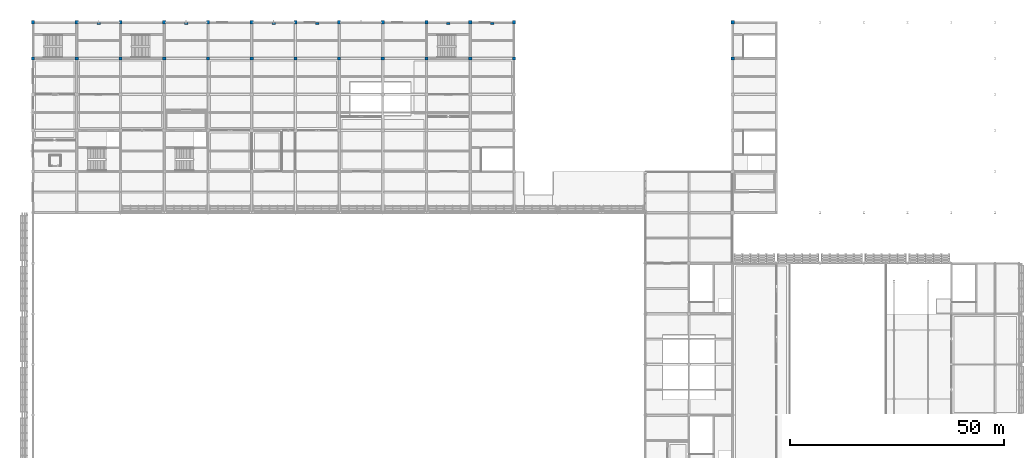
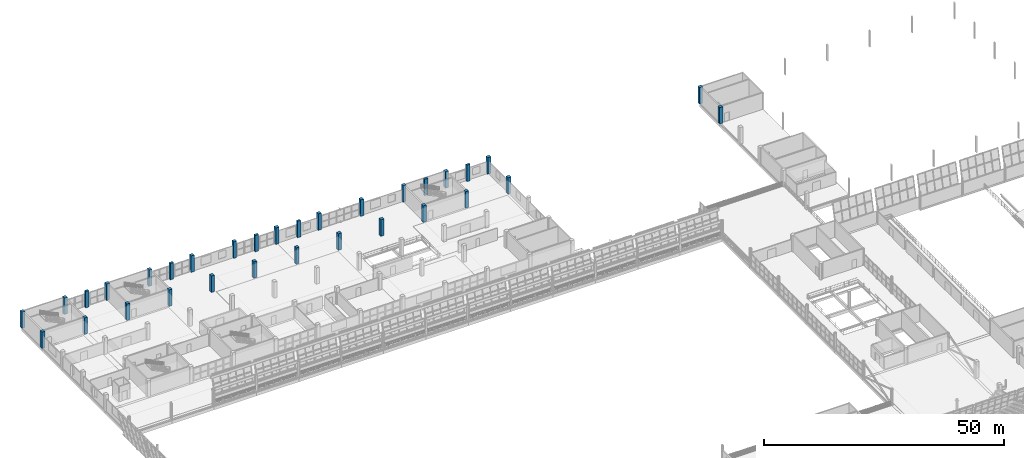
# One storey, part 17 of 157: 32 columns.
"""IFC4 building model written with IfcOpenShell, lengths in metres."""

from ifc_helpers import new_model, si_unit, direction, frame, origin, origin_2d, place, context, subcontext, project, spatial, rectangle, extrude, material, material_profile, profile_set, type_object, element, save


model = new_model("IFC4")

# Units and contexts
model_context = context("Model", 3, precision=1e-05, world=origin(), true_north=direction((0.0, 1.0)))
body_context = subcontext(model_context, "Body", "Model", "MODEL_VIEW")
ifc_project = project(units=[si_unit("LENGTHUNIT", "METRE"), si_unit("AREAUNIT", "SQUARE_METRE"), si_unit("VOLUMEUNIT", "CUBIC_METRE"), si_unit("PLANEANGLEUNIT", "RADIAN"), si_unit("MASSUNIT", "GRAM", prefix="KILO")], contexts=[model_context])

# Site, building, storey
site_placement = place(None, origin())
site = spatial("IfcSite", under=ifc_project, at=site_placement, CompositionType="ELEMENT")
building_placement = place(site_placement, origin())
building = spatial("IfcBuilding", under=site, at=building_placement, Name="Brelvane Convention Centre", CompositionType="ELEMENT")
storey_placement = place(building_placement, frame((0.0, 0.0, 10.800048828125)))
storey = spatial("IfcBuildingStorey", under=building, at=storey_placement, Name="L02", CompositionType="ELEMENT", Elevation=10.800048828125)

# Columns
ifc_material_1 = material(Name="Concrete M50", Category="concrete")
ifc_material_profile_1 = material_profile(ifc_material_1, rectangle(XDim=0.75, YDim=0.75, at=origin_2d()), Name="RC 750x750")
ifc_profile_set_1 = profile_set([ifc_material_profile_1], Name="Concrete M50")
column_type_1 = type_object("IfcColumnType", Name="RC Column C-RC3 (RC 750x750)", PredefinedType="COLUMN", material=ifc_profile_set_1)
for number, where, z_axis, x_axis, name in (
    (1, (0.0, 135.60009765625, 0.0), (0.0, 0.0, 1.0), (1.0, 0.0, 0.0), "Column 1-P (L02)"),
    (2, (0.0, 144.0, 0.0), (0.0, 0.0, 1.0), (1.0, 0.0, 0.0), "Column 1-Q (L02)"),
    (3, (10.199951171875, 135.60009765625, 0.0), (0.0, 0.0, 1.0), (1.0, 0.0, 0.0), "Column 2-P (L02)"),
    (4, (10.199951171875, 144.0, 0.0), (0.0, 0.0, 1.0), (1.0, 0.0, 0.0), "Column 2-Q (L02)"),
    (5, (20.39990234375, 135.60009765625, 0.0), (0.0, 0.0, 1.0), (1.0, 0.0, 0.0), "Column 3-P (L02)"),
    (6, (20.39990234375, 144.0, 0.0), (0.0, 0.0, 1.0), (1.0, 0.0, 0.0), "Column 3-Q (L02)"),
    (7, (30.60009765625, 135.60009765625, 0.0), (0.0, 0.0, 1.0), (1.0, 0.0, 0.0), "Column 4-P (L02)"),
    (8, (30.60009765625, 144.0, 0.0), (0.0, 0.0, 1.0), (1.0, 0.0, 0.0), "Column 4-Q (L02)"),
    (9, (40.800048828125, 135.60009765625, 0.0), (0.0, 0.0, 1.0), (1.0, 0.0, 0.0), "Column 5-P (L02)"),
    (10, (40.800048828125, 144.0, 0.0), (0.0, 0.0, 1.0), (1.0, 0.0, 0.0), "Column 5-Q (L02)"),
    (11, (51.0, 135.60009765625, 0.0), (0.0, 0.0, 1.0), (1.0, 0.0, 0.0), "Column 6-P (L02)"),
    (12, (51.0, 144.0, 0.0), (0.0, 0.0, 1.0), (1.0, 0.0, 0.0), "Column 6-Q (L02)"),
    (13, (61.199951171875, 135.60009765625, 0.0), (0.0, 0.0, 1.0), (1.0, 0.0, 0.0), "Column 7-P (L02)"),
    (14, (61.199951171875, 144.0, 0.0), (0.0, 0.0, 1.0), (1.0, 0.0, 0.0), "Column 7-Q (L02)"),
    (15, (71.39990234375, 135.60009765625, 0.0), (0.0, 0.0, 1.0), (1.0, 0.0, 0.0), "Column 8-P (L02)"),
    (16, (71.39990234375, 144.0, 0.0), (0.0, 0.0, 1.0), (1.0, 0.0, 0.0), "Column 8-Q (L02)"),
    (17, (81.60009765625, 135.60009765625, 0.0), (0.0, 0.0, 1.0), (1.0, 0.0, 0.0), "Column 9-P (L02)"),
    (18, (81.60009765625, 144.0, 0.0), (0.0, 0.0, 1.0), (1.0, 0.0, 0.0), "Column 9-Q (L02)"),
    (19, (91.800048828125, 135.60009765625, 0.0), (0.0, 0.0, 1.0), (1.0, 0.0, 0.0), "Column 10-P (L02)"),
    (20, (91.800048828125, 144.0, 0.0), (0.0, 0.0, 1.0), (1.0, 0.0, 0.0), "Column 10-Q (L02)"),
    (21, (102.0, 135.60009765625, 0.0), (0.0, 0.0, 1.0), (1.0, 0.0, 0.0), "Column 11-P (L02)"),
    (22, (102.0, 144.0, 0.0), (0.0, 0.0, 1.0), (1.0, 0.0, 0.0), "Column 11-Q (L02)"),
    (23, (112.199951171875, 135.60009765625, 0.0), (0.0, 0.0, 1.0), (1.0, 0.0, 0.0), "Column 12-P (L02)"),
    (24, (112.199951171875, 144.0, 0.0), (0.0, 0.0, 1.0), (1.0, 0.0, 0.0), "Column 12-Q (L02)"),
    (25, (163.199951171875, 135.60009765625, 0.0), (0.0, 0.0, 1.0), (1.0, 0.0, 0.0), "Column 17-P (L02)"),
    (26, (163.199951171875, 144.0, 0.0), (0.0, 0.0, 1.0), (1.0, 0.0, 0.0), "Column 17-Q (L02)"),
):
    element("IfcColumn", number, at=place(storey_placement, frame(where, z_axis=z_axis, x_axis=x_axis)), inside=storey, type_object=column_type_1, Name=name, PredefinedType="COLUMN", context=body_context, shape_type="SweptSolid", body=[
        extrude(rectangle(XDim=0.75, YDim=0.75, at=origin_2d()), origin(), (0.0, 0.0, 1.0), 4.199951171875),
    ])
ifc_material_2 = material(Name="Concrete M50", Category="concrete")
ifc_material_profile_2 = material_profile(ifc_material_2, rectangle(XDim=0.800048828125, YDim=0.5, at=origin_2d()), Name="RC 800x500")
ifc_profile_set_2 = profile_set([ifc_material_profile_2], Name="Concrete M50")
column_type_2 = type_object("IfcColumnType", Name="RC Column PL-RC2 (RC 800x500)", PredefinedType="PILASTER", material=ifc_profile_set_2)
for number, where, z_axis, x_axis, name in (
    (27, (15.300048828125, 143.699951171875, 0.0), (0.0, 0.0, 1.0), (1.0, 0.0, 0.0), "Rear Wing Structural Pier P1 (L02)"),
    (28, (35.699951171875, 143.699951171875, 0.0), (0.0, 0.0, 1.0), (1.0, 0.0, 0.0), "Rear Wing Structural Pier P2 (L02)"),
    (29, (56.10009765625, 143.699951171875, 0.0), (0.0, 0.0, 1.0), (1.0, 0.0, 0.0), "Rear Wing Structural Pier P3 (L02)"),
    (30, (66.300048828125, 143.699951171875, 0.0), (0.0, 0.0, 1.0), (1.0, 0.0, 0.0), "Rear Wing Structural Pier P4 (L02)"),
    (31, (96.89990234375, 143.699951171875, 0.0), (0.0, 0.0, 1.0), (1.0, 0.0, 0.0), "Rear Wing Structural Pier P5 (L02)"),
    (32, (107.10009765625, 143.699951171875, 0.0), (0.0, 0.0, 1.0), (1.0, 0.0, 0.0), "Rear Wing Structural Pier P6 (L02)"),
):
    element("IfcColumn", number, at=place(storey_placement, frame(where, z_axis=z_axis, x_axis=x_axis)), inside=storey, type_object=column_type_2, Name=name, PredefinedType="PILASTER", context=body_context, shape_type="SweptSolid", body=[
        extrude(rectangle(XDim=0.800048828125, YDim=0.5, at=origin_2d()), origin(), (0.0, 0.0, 1.0), 4.199951171875),
    ])

save(model, "model.ifc")
